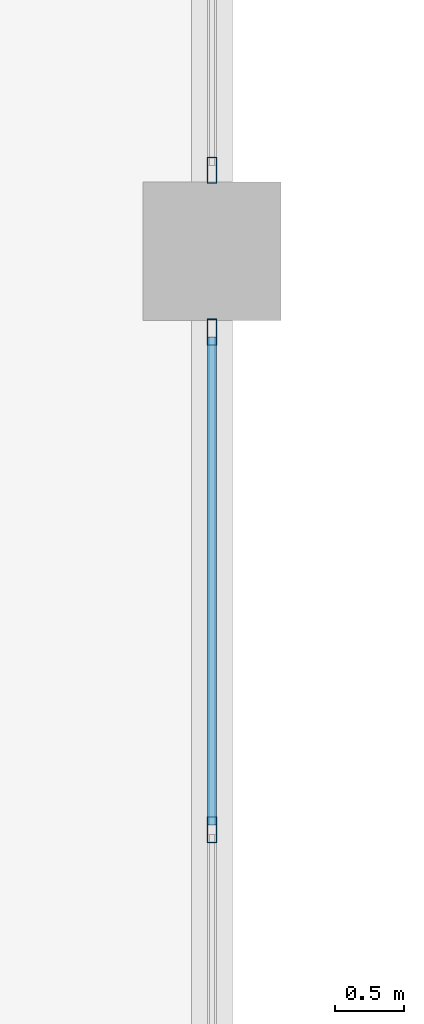
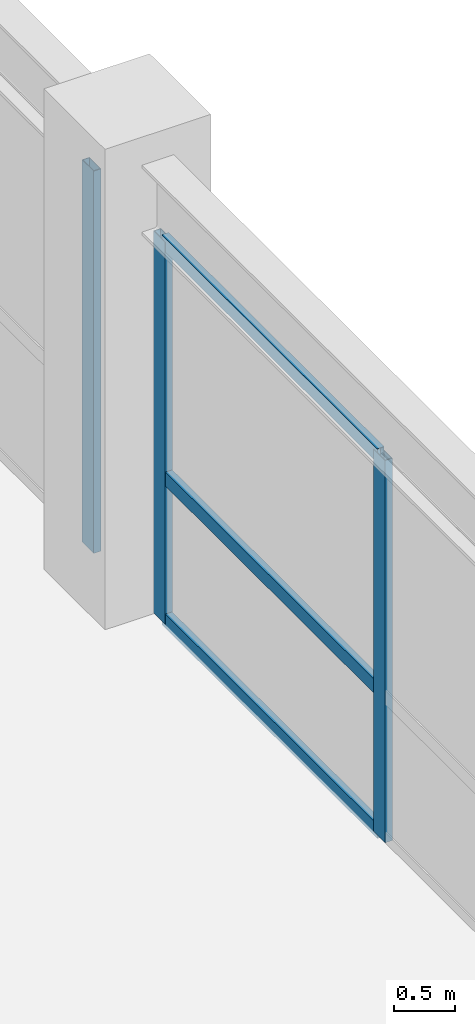
# One storey, part 13 of 48: 6 members, 2 elements without a shape of their own.
"""IFC4 building model written with IfcOpenShell, lengths in metres."""

import ifcopenshell
import ifcopenshell.guid

model = None  # the IFC model being written
_history = None  # IfcOwnerHistory: only IFC2X3 demands one
_inside = {}  # id of a spatial element -> (the spatial element, [elements in it])
_under = {}  # id of a project, library or spatial element -> (it, [spatial elements below it])
_declared = {}  # id of a project -> (the project, [libraries it declares])
_typed = {}  # id of a type object -> (the type object, [elements of that type])
_made_of = {}  # id of a material, layer set ... -> (it, [elements and type objects made of it])


def new_model(schema):
    """Start an empty IFC model of exactly this schema.

    Asked for "IFC4X3", IfcOpenShell would pick the latest addendum, in which some entities
    have other attributes; the version numbers below select the first issue.
    IFC2X3 requires an IfcOwnerHistory on every rooted entity: one is made here for all.
    """
    global model, _history
    if schema == "IFC4X3":
        model = ifcopenshell.file(schema_version=(4, 3, 0, 0))
    else:
        model = ifcopenshell.file(schema=schema)
    _inside.clear()
    _under.clear()
    _declared.clear()
    _typed.clear()
    _made_of.clear()
    _history = None
    if model.schema == "IFC2X3":
        org = make("IfcOrganization", Name="unknown")
        user = make(
            "IfcPersonAndOrganization",
            ThePerson=make("IfcPerson", FamilyName="unknown"),
            TheOrganization=org,
        )
        app = make(
            "IfcApplication",
            ApplicationDeveloper=org,
            Version="unknown",
            ApplicationFullName="unknown",
            ApplicationIdentifier="unknown",
        )
        _history = make(
            "IfcOwnerHistory",
            OwningUser=user,
            OwningApplication=app,
            ChangeAction="ADDED",
            CreationDate=0,
        )
    return model


def make(cls, **values):
    """One entity of the class cls with the attributes given. An attribute that is None is left unset."""
    return model.create_entity(
        cls, **{name: value for name, value in values.items() if value is not None}
    )


def rooted(cls, **values):
    """An entity with a GlobalId (a new one), such as an element, a storey or a relation."""
    return make(cls, GlobalId=ifcopenshell.guid.new(), OwnerHistory=_history, **values)


def si_unit(unit_type, name, prefix=None):
    """IfcSIUnit, for example si_unit("LENGTHUNIT", "METRE", prefix="MILLI")."""
    return make("IfcSIUnit", UnitType=unit_type, Prefix=prefix, Name=name)


def derived_unit(unit_type, elements):
    """IfcDerivedUnit: a product of units, each with its exponent."""
    return make(
        "IfcDerivedUnit",
        Elements=[
            make("IfcDerivedUnitElement", Unit=unit, Exponent=power)
            for unit, power in elements
        ],
        UnitType=unit_type,
    )


def assignment(units):
    """IfcUnitAssignment: the units of a project."""
    return None if units is None else make("IfcUnitAssignment", Units=units)


def point(xyz):
    """IfcCartesianPoint."""
    return None if xyz is None else make("IfcCartesianPoint", Coordinates=xyz)


def direction(xyz):
    """IfcDirection."""
    return None if xyz is None else make("IfcDirection", DirectionRatios=xyz)


def frame(location, z_axis=None, x_axis=None):
    """IfcAxis2Placement3D, a coordinate frame: its origin and axes. An axis left out is left unset."""
    return make(
        "IfcAxis2Placement3D",
        Location=point(location),
        Axis=direction(z_axis),
        RefDirection=direction(x_axis),
    )


def frame_2d(location, x_axis=None):
    """IfcAxis2Placement2D, a coordinate frame in the plane: its origin and x axis."""
    return make(
        "IfcAxis2Placement2D", Location=point(location), RefDirection=direction(x_axis)
    )


def origin():
    """The frame at (0, 0, 0) with its axes left unset."""
    return frame((0.0, 0.0, 0.0))


def origin_2d():
    """The frame at (0, 0) in the plane with its x axis left unset."""
    return frame_2d((0.0, 0.0))


def place(relative_to, where):
    """IfcLocalPlacement: puts the frame where relative to a parent placement (None: the world)."""
    return make(
        "IfcLocalPlacement", PlacementRelTo=relative_to, RelativePlacement=where
    )


def context(
    kind, dimensions, precision=None, world=None, true_north=None, identifier=None
):
    """IfcGeometricRepresentationContext, for example the 3D "Model" context."""
    return make(
        "IfcGeometricRepresentationContext",
        ContextIdentifier=identifier,
        ContextType=kind,
        CoordinateSpaceDimension=dimensions,
        Precision=precision,
        WorldCoordinateSystem=world,
        TrueNorth=true_north,
    )


def subcontext(parent, identifier, kind, view, scale=None):
    """IfcGeometricRepresentationSubContext, for example "Body" below "Model"."""
    return make(
        "IfcGeometricRepresentationSubContext",
        ContextIdentifier=identifier,
        ContextType=kind,
        ParentContext=parent,
        TargetScale=scale,
        TargetView=view,
    )


def project(units=None, contexts=None):
    """IfcProject with its units and contexts."""
    return rooted(
        "IfcProject",
        Name="project",
        RepresentationContexts=contexts,
        UnitsInContext=assignment(units),
    )


def spatial(cls, under=None, at=None, **own):
    """A site, building, storey or space (cls), placed at a placement, below another one or the project."""
    s = rooted(cls, ObjectPlacement=at, **own)
    if under is not None:
        _under.setdefault(under.id(), (under, []))[1].append(s)
    return s


def profile(cls, at=None, kind="AREA", **sizes):
    """A parametric profile (cls). Its sizes go by their IFC names, for example OverallWidth=200.0."""
    return make(cls, ProfileType=kind, Position=at, **sizes)


def hollow_rectangle(**sizes):
    """IfcRectangleHollowProfileDef."""
    return profile("IfcRectangleHollowProfileDef", **sizes)


def extrude(swept, where, along, depth):
    """IfcExtrudedAreaSolid: the profile swept, set in the frame where, extruded along a direction by depth."""
    return make(
        "IfcExtrudedAreaSolid",
        SweptArea=swept,
        Position=where,
        ExtrudedDirection=direction(along),
        Depth=depth,
    )


def shape(context_of_items, identifier, shape_type, items):
    """IfcShapeRepresentation: the items that make up one representation, for example the "Body"."""
    return make(
        "IfcShapeRepresentation",
        ContextOfItems=context_of_items,
        RepresentationIdentifier=identifier,
        RepresentationType=shape_type,
        Items=items,
    )


def source(mapping_origin, context_of_items, identifier, shape_type, items):
    """IfcRepresentationMap: a shape defined once, which mapped items show again and again."""
    return make(
        "IfcRepresentationMap",
        MappingOrigin=mapping_origin,
        MappedRepresentation=shape(context_of_items, identifier, shape_type, items),
    )


def transform(
    local_origin,
    x_axis=None,
    y_axis=None,
    z_axis=None,
    scale=None,
    scale2=None,
    scale3=None,
    uniform=True,
):
    """IfcCartesianTransformationOperator3D, or its non-uniform kind. x_axis, y_axis, z_axis: its Axis1, 2, 3."""
    if uniform:
        return make(
            "IfcCartesianTransformationOperator3D",
            Axis1=direction(x_axis),
            Axis2=direction(y_axis),
            LocalOrigin=point(local_origin),
            Scale=scale,
            Axis3=direction(z_axis),
        )
    return make(
        "IfcCartesianTransformationOperator3DnonUniform",
        Axis1=direction(x_axis),
        Axis2=direction(y_axis),
        LocalOrigin=point(local_origin),
        Scale=scale,
        Axis3=direction(z_axis),
        Scale2=scale2,
        Scale3=scale3,
    )


def mapped(mapping_source, mapping_target):
    """IfcMappedItem: shows the shape of a source again, moved by a transform."""
    return make(
        "IfcMappedItem", MappingSource=mapping_source, MappingTarget=mapping_target
    )


def material(Name=None, Category=None):
    """IfcMaterial."""
    return make("IfcMaterial", Name=Name, Category=Category)


def layer(
    of_material, thickness, ventilated=None, Name=None, Category=None, Priority=None
):
    """IfcMaterialLayer: one layer of a wall or slab, of a material (None: an air gap)."""
    return make(
        "IfcMaterialLayer",
        Material=of_material,
        LayerThickness=thickness,
        IsVentilated=ventilated,
        Name=Name,
        Category=Category,
        Priority=Priority,
    )


def layer_set(layers, Name=None):
    """IfcMaterialLayerSet."""
    return make("IfcMaterialLayerSet", MaterialLayers=layers, LayerSetName=Name)


def material_profile(
    of_material, cross_section, Name=None, Category=None, Priority=None
):
    """IfcMaterialProfile: a cross section and its material."""
    return make(
        "IfcMaterialProfile",
        Name=Name,
        Material=of_material,
        Profile=cross_section,
        Priority=Priority,
        Category=Category,
    )


def profile_set(profiles, Name=None, composite=None):
    """IfcMaterialProfileSet."""
    return make(
        "IfcMaterialProfileSet",
        Name=Name,
        MaterialProfiles=profiles,
        CompositeProfile=composite,
    )


def made_of(thing, what):
    """Note that an element or type object is made of a material, layer set ...; save() writes the relation."""
    if what is not None:
        _made_of.setdefault(what.id(), (what, []))[1].append(thing)
    return thing


def type_object(cls, material=None, **own):
    """A type object (cls), such as IfcWallType, which elements share."""
    return made_of(rooted(cls, **own), material)


def element(
    cls,
    number,
    at=None,
    inside=None,
    cuts=None,
    type_object=None,
    material=None,
    context=None,
    identifier="Body",
    shape_type=None,
    held_by="IfcProductDefinitionShape",
    body=None,
    shapes=None,
    **own,
):
    """One element of the class cls, such as IfcWall. Its Tag is "e" and its number.

    at: its placement. inside: the storey or other place that contains it. cuts: it is an
    opening in that element (IfcRelVoidsElement). A single representation is given by context,
    identifier, shape_type and body (its items); several are given by shapes. held_by: the class
    of the entity that holds the representations. save() writes the other relations.
    """
    e = rooted(cls, Tag="e%d" % number, ObjectPlacement=at, **own)
    if body is not None:
        shapes = [shape(context, identifier, shape_type, body)]
    if shapes is not None:
        e.Representation = make(held_by, Representations=shapes)
    if inside is not None:
        _inside.setdefault(inside.id(), (inside, []))[1].append(e)
    if cuts is not None:
        rooted(
            "IfcRelVoidsElement", RelatingBuildingElement=cuts, RelatedOpeningElement=e
        )
    if type_object is not None:
        _typed.setdefault(type_object.id(), (type_object, []))[1].append(e)
    return made_of(e, material)


def aggregate(whole, parts):
    """IfcRelAggregates: a whole, such as a stair, and the parts it consists of."""
    return rooted("IfcRelAggregates", RelatingObject=whole, RelatedObjects=parts)


def save(model, path):
    """Write the relations noted so far, then the file.

    IfcRelAggregates (storeys below a building ...), IfcRelContainedInSpatialStructure (elements
    in a storey), IfcRelDefinesByType, IfcRelAssociatesMaterial and IfcRelDeclares: one each for
    every whole, place, type object, material and project.
    """
    for whole, parts in _under.values():
        aggregate(whole, parts)
    for where, things in _inside.values():
        rooted(
            "IfcRelContainedInSpatialStructure",
            RelatedElements=things,
            RelatingStructure=where,
        )
    for kind, things in _typed.values():
        rooted("IfcRelDefinesByType", RelatedObjects=things, RelatingType=kind)
    for what, things in _made_of.values():
        rooted("IfcRelAssociatesMaterial", RelatedObjects=things, RelatingMaterial=what)
    for by, libraries in _declared.values():
        rooted("IfcRelDeclares", RelatingContext=by, RelatedDefinitions=libraries)
    model.write(path)


model = new_model("IFC4")

# Units and contexts
model_context = context("Model", 3, precision=1e-05, world=origin(), true_north=direction((0.0, 1.0)))
body_context = subcontext(model_context, "Body", "Model", "MODEL_VIEW")
ifc_project = project(units=[si_unit("LENGTHUNIT", "METRE"), si_unit("AREAUNIT", "SQUARE_METRE"), si_unit("VOLUMEUNIT", "CUBIC_METRE"), si_unit("PLANEANGLEUNIT", "RADIAN"), si_unit("MASSUNIT", "GRAM", prefix="KILO"), derived_unit("THERMALTRANSMITTANCEUNIT", [(si_unit("POWERUNIT", "WATT"), 1), (si_unit("LENGTHUNIT", "METRE"), -2), (si_unit("THERMODYNAMICTEMPERATUREUNIT", "KELVIN"), -1)])], contexts=[model_context])

# Site, building, storey
site_placement = place(None, origin())
site = spatial("IfcSite", under=ifc_project, at=site_placement, CompositionType="ELEMENT")
building_placement = place(site_placement, origin())
building = spatial("IfcBuilding", under=site, at=building_placement, Name="Korsvarv Bourse and Concert Hall", CompositionType="ELEMENT")
storey_placement = place(building_placement, frame((0.0, 0.0, 4.800048828125)))
storey = spatial("IfcBuildingStorey", under=building, at=storey_placement, Name="L01", CompositionType="ELEMENT", Elevation=4.800048828125)

# Curtain wall, members
ifc_material_1 = material(Name="Anodised aluminium and triple low-E glazing", Category="glass")
ifc_layer = layer(ifc_material_1, 0.239990234375)
ifc_layer_set = layer_set([ifc_layer], Name="Anodised aluminium and triple low-E glazing")
curtain_wall_type = type_object("IfcCurtainWallType", Name="CW-SYS-5", PredefinedType="NOTDEFINED", material=ifc_layer_set)
curtain_wall_1_placement = place(storey_placement, origin())
curtain_wall_1 = element("IfcCurtainWall", 1, at=curtain_wall_1_placement, inside=storey, type_object=curtain_wall_type, Name="L01 CW5 curtain wall CW-L01-E1", PredefinedType="NOTDEFINED")
ifc_material_2 = material(Name="Extruded aluminium EN AW-6063 T66", Category="aluminium")
ifc_material_profile_1 = material_profile(ifc_material_2, hollow_rectangle(XDim=0.070068359375, YDim=0.18994140625, WallThickness=0.0048828125, at=origin_2d()), Name="ALU-M 70x190")
ifc_profile_set_1 = profile_set([ifc_material_profile_1], Name="Extruded aluminium EN AW-6063 T66")
member_type_1 = type_object("IfcMemberType", Name="CWM-190", PredefinedType="MULLION", material=ifc_profile_set_1)
shared_shape_1 = source(origin(), body_context, "Body", "SweptSolid", [
    extrude(hollow_rectangle(XDim=0.070068359375, YDim=0.18994140625, WallThickness=0.0048828125, at=origin_2d()), origin(), (0.0, 0.0, 1.0), 3.820068359375),
])
member_1_placement = place(storey_placement, frame((66.0, 11.816650390625, 0.0), z_axis=(0.0, 0.0, 1.0), x_axis=(-1.0, 0.0, 0.0)))
member_1 = element("IfcMember", 2, at=member_1_placement, type_object=member_type_1, Name="CW5 mullion 3", PredefinedType="MULLION", context=body_context, shape_type="MappedRepresentation", body=[
    mapped(shared_shape_1, transform((0.0, 0.0, 0.0), scale=1.0)),
])
member_2_placement = place(storey_placement, frame((66.0, 15.4150390625, 0.0), z_axis=(0.0, 0.0, 1.0), x_axis=(-1.0, 0.0, 0.0)))
member_2 = element("IfcMember", 3, at=member_2_placement, type_object=member_type_1, Name="CW5 mullion 4", PredefinedType="MULLION", context=body_context, shape_type="MappedRepresentation", body=[
    mapped(shared_shape_1, transform((0.0, 0.0, 0.0), scale=1.0)),
])

# Curtain wall, member
curtain_wall_2_placement = place(storey_placement, origin())
curtain_wall_2 = element("IfcCurtainWall", 4, at=curtain_wall_2_placement, inside=storey, type_object=curtain_wall_type, Name="L01 CW5 curtain wall CW-L01-E2-1", PredefinedType="NOTDEFINED")
member_3_placement = place(storey_placement, frame((66.0, 16.5849609375, 0.0), z_axis=(0.0, 0.0, 1.0), x_axis=(-1.0, 0.0, 0.0)))
member_3 = element("IfcMember", 5, at=member_3_placement, type_object=member_type_1, Name="CW5 mullion 1", PredefinedType="MULLION", context=body_context, shape_type="MappedRepresentation", body=[
    mapped(shared_shape_1, transform((0.0, 0.0, 0.0), scale=1.0)),
])
aggregate(curtain_wall_2, [member_3])

# Member
ifc_material_profile_2 = material_profile(ifc_material_2, hollow_rectangle(XDim=0.06494140625, YDim=0.139892578125, WallThickness=0.00390625, at=origin_2d()), Name="ALU-T 65x140")
ifc_profile_set_2 = profile_set([ifc_material_profile_2], Name="Extruded aluminium EN AW-6063 T66")
member_type_2 = type_object("IfcMemberType", Name="CWT-140", PredefinedType="USERDEFINED", material=ifc_profile_set_2)
shared_shape_2 = source(origin(), body_context, "Body", "SweptSolid", [
    extrude(hollow_rectangle(XDim=0.06494140625, YDim=0.139892578125, WallThickness=0.00390625, at=origin_2d()), origin(), (0.0, 0.0, 1.0), 3.5283203125),
])
member_4_placement = place(storey_placement, frame((66.0, 11.8515625, 0.032470703125), z_axis=(0.0, 1.0, 0.0), x_axis=(-1.0, 0.0, 0.0)))
member_4 = element("IfcMember", 6, at=member_4_placement, type_object=member_type_2, Name="CW5 transom 3.1", ObjectType="TRANSOM", PredefinedType="USERDEFINED", context=body_context, shape_type="MappedRepresentation", body=[
    mapped(shared_shape_2, transform((0.0, 0.0, 0.0), scale=1.0)),
])

member_5_placement = place(storey_placement, frame((66.0, 11.8515625, 1.45166015625), z_axis=(0.0, 1.0, 0.0), x_axis=(-1.0, 0.0, 0.0)))
member_5 = element("IfcMember", 7, at=member_5_placement, type_object=member_type_2, Name="CW5 transom 3.2", ObjectType="TRANSOM", PredefinedType="USERDEFINED", context=body_context, shape_type="MappedRepresentation", body=[
    mapped(shared_shape_2, transform((0.0, 0.0, 0.0), scale=1.0)),
])

member_6_placement = place(storey_placement, frame((66.0, 11.8515625, 3.787353515625), z_axis=(0.0, 1.0, 0.0), x_axis=(-1.0, 0.0, 0.0)))
member_6 = element("IfcMember", 8, at=member_6_placement, type_object=member_type_2, Name="CW5 transom 3.3", ObjectType="TRANSOM", PredefinedType="USERDEFINED", context=body_context, shape_type="MappedRepresentation", body=[
    mapped(shared_shape_2, transform((0.0, 0.0, 0.0), scale=1.0)),
])

aggregate(curtain_wall_1, [member_1, member_2, member_4, member_5, member_6])

save(model, "model.ifc")
